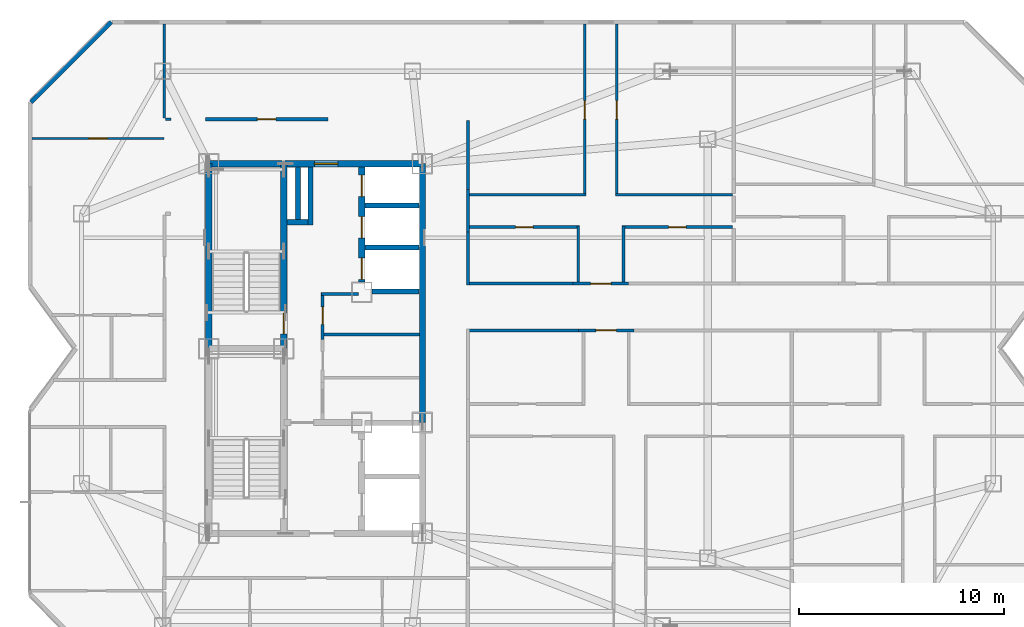
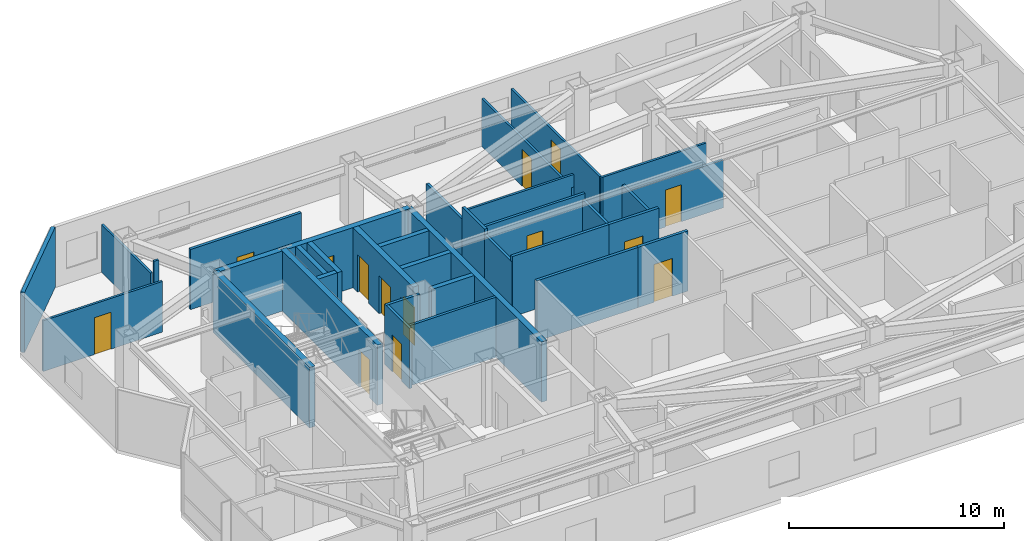
# One storey, part 10 of 14: 34 walls, 14 doors, 14 openings.
"""IFC4 building model written with IfcOpenShell, lengths in metres."""

from ifc_helpers import new_model, si_unit, direction, frame, frame_2d, origin, place, context, subcontext, project, spatial, rectangle, extrude, material, layer, layer_set, type_object, element, fill, save


model = new_model("IFC4")

# Units and contexts
model_context = context("Model", 3, precision=1e-05, world=origin(), true_north=direction((0.0, 1.0)))
body_context = subcontext(model_context, "Body", "Model", "MODEL_VIEW")
ifc_project = project(units=[si_unit("LENGTHUNIT", "METRE"), si_unit("AREAUNIT", "SQUARE_METRE"), si_unit("VOLUMEUNIT", "CUBIC_METRE"), si_unit("PLANEANGLEUNIT", "RADIAN"), si_unit("MASSUNIT", "GRAM", prefix="KILO")], contexts=[model_context])

# Site, building, storey
site_placement = place(None, origin())
site = spatial("IfcSite", under=ifc_project, at=site_placement, CompositionType="ELEMENT")
building_placement = place(site_placement, origin())
building = spatial("IfcBuilding", under=site, at=building_placement, Name="Khamvora Tower", CompositionType="ELEMENT")
storey_placement = place(building_placement, frame((0.0, 0.0, 242.75)))
storey = spatial("IfcBuildingStorey", under=building, at=storey_placement, Name="L62", CompositionType="ELEMENT", Elevation=242.75)

# Wall
ifc_material_1 = material(Name="Concrete C50/60", Category="concrete")
ifc_layer_1 = layer(ifc_material_1, 0.300048828125)
ifc_layer_set_1 = layer_set([ifc_layer_1], Name="Concrete C50/60")
wall_type_1 = type_object("IfcWallType", Name="WAL-CORE-300", PredefinedType="SHEAR", material=ifc_layer_set_1)
wall_1_placement = place(storey_placement, frame((29.0, 28.0, 0.0), z_axis=(0.0, 0.0, 1.0), x_axis=(0.0, 1.0, 0.0)))
element("IfcWall", 1, at=wall_1_placement, inside=storey, type_object=wall_type_1, Name="L62 central core west north wall", PredefinedType="SHEAR", context=body_context, shape_type="SweptSolid", body=[
    extrude(rectangle(XDim=9.0, YDim=0.300048828125, at=frame_2d((4.5, 0.0))), origin(), (0.0, 0.0, 1.0), 3.429931640625),
])

# Wall, opening, door
wall_2_placement = place(storey_placement, frame((29.0, 37.0, 0.0), z_axis=(0.0, 0.0, 1.0), x_axis=(1.0, 0.0, 0.0)))
wall_2 = element("IfcWall", 2, at=wall_2_placement, inside=storey, type_object=wall_type_1, Name="L62 central core north wall", PredefinedType="SHEAR", context=body_context, shape_type="SweptSolid", body=[
    extrude(rectangle(XDim=10.39990234375, YDim=0.300048828125, at=frame_2d((5.199951171875, 0.0))), origin(), (0.0, 0.0, 1.0), 3.429931640625),
])
opening_1_placement = place(wall_2_placement, frame((5.139892578125, 0.0, 0.0)))
opening_1 = element("IfcOpeningElement", 3, at=opening_1_placement, cuts=wall_2, Name="Opening D-SC1", PredefinedType="OPENING", context=body_context, shape_type="SweptSolid", body=[
    extrude(rectangle(XDim=1.14990234375, YDim=2.199951171875, at=frame_2d((0.574951171875, 1.10009765625))), frame((0.0, 0.159912109375, 0.0), z_axis=(0.0, -1.0, 0.0), x_axis=(1.0, 0.0, 0.0)), (0.0, 0.0, 1.0), 0.320068359375),
])
ifc_material_2 = material(Name="Powder-Coated Steel and Hardwood Leaf", Category="steel")
door_type_1 = type_object("IfcDoorType", Name="DOR-SCHL-1150", OperationType="NOTDEFINED", PredefinedType="DOOR", material=ifc_material_2)
door_1_placement = place(opening_1_placement, origin())
door_1 = element("IfcDoor", 4, at=door_1_placement, inside=storey, type_object=door_type_1, Name="L62 north core lobby to corridor fire door", OperationType="SINGLE_SWING_RIGHT", OverallHeight=2.199951171875, OverallWidth=1.14990234375, PredefinedType="DOOR", context=body_context, shape_type="SweptSolid", body=[
    extrude(rectangle(XDim=1.14990234375, YDim=2.199951171875, at=frame_2d((0.574951171875, 1.10009765625))), frame((0.0, 0.02490234375, 0.0), z_axis=(0.0, -1.0, 0.0), x_axis=(1.0, 0.0, 0.0)), (0.0, 0.0, 1.0), 0.050048828125),
])
fill(opening_1, door_1)

# Wall
wall_3_placement = place(storey_placement, frame((39.39990234375, 24.39990234375, 0.0), z_axis=(0.0, 0.0, 1.0), x_axis=(0.0, 1.0, 0.0)))
element("IfcWall", 5, at=wall_3_placement, inside=storey, type_object=wall_type_1, Name="L62 central core east north wall", PredefinedType="SHEAR", context=body_context, shape_type="SweptSolid", body=[
    extrude(rectangle(XDim=12.60009765625, YDim=0.300048828125, at=frame_2d((6.300048828125, 0.0))), origin(), (0.0, 0.0, 1.0), 3.429931640625),
])

# Wall, opening, door
wall_4_placement = place(storey_placement, frame((32.64990234375, 28.0, 0.0), z_axis=(0.0, 0.0, 1.0), x_axis=(0.0, 1.0, 0.0)))
wall_4 = element("IfcWall", 6, at=wall_4_placement, inside=storey, type_object=wall_type_1, Name="L62 central core stair north spine wall", PredefinedType="SHEAR", context=body_context, shape_type="SweptSolid", body=[
    extrude(rectangle(XDim=9.0, YDim=0.300048828125, at=frame_2d((4.5, 0.0))), origin(), (0.0, 0.0, 1.0), 3.429931640625),
])
opening_2_placement = place(wall_4_placement, frame((0.719970703125, 0.0, 0.0)))
opening_2 = element("IfcOpeningElement", 7, at=opening_2_placement, cuts=wall_4, Name="Opening D-ST1", PredefinedType="OPENING", context=body_context, shape_type="SweptSolid", body=[
    extrude(rectangle(XDim=1.0, YDim=2.14990234375, at=frame_2d((0.5, 1.074951171875))), frame((0.0, 0.159912109375, 0.0), z_axis=(0.0, -1.0, 0.0), x_axis=(1.0, 0.0, 0.0)), (0.0, 0.0, 1.0), 0.320068359375),
])
door_type_2 = type_object("IfcDoorType", Name="DOR-STAIR-1000", OperationType="NOTDEFINED", PredefinedType="DOOR", material=ifc_material_2)
door_2_placement = place(opening_2_placement, origin())
door_2 = element("IfcDoor", 8, at=door_2_placement, inside=storey, type_object=door_type_2, Name="L62 exit stair ST-02 fire door", OperationType="SINGLE_SWING_RIGHT", OverallHeight=2.14990234375, OverallWidth=1.0, PredefinedType="DOOR", context=body_context, shape_type="SweptSolid", body=[
    extrude(rectangle(XDim=1.0, YDim=2.14990234375, at=frame_2d((0.5, 1.074951171875))), frame((0.0, 0.02490234375, 0.0), z_axis=(0.0, -1.0, 0.0), x_axis=(1.0, 0.0, 0.0)), (0.0, 0.0, 1.0), 0.050048828125),
])
fill(opening_2, door_2)

# Wall, openings, doors
wall_5_placement = place(storey_placement, frame((36.449951171875, 31.25, 0.0), z_axis=(0.0, 0.0, 1.0), x_axis=(0.0, 1.0, 0.0)))
wall_5 = element("IfcWall", 9, at=wall_5_placement, inside=storey, type_object=wall_type_1, Name="L62 central core lift bank central wall", PredefinedType="SHEAR", context=body_context, shape_type="SweptSolid", body=[
    extrude(rectangle(XDim=5.595947265625, YDim=0.300048828125, at=frame_2d((2.7978515625, 0.0))), origin(), (0.0, 0.0, 1.0), 3.429931640625),
])
opening_3_placement = place(wall_5_placement, frame((0.1201171875, 0.0, 0.0)))
opening_3 = element("IfcOpeningElement", 10, at=opening_3_placement, cuts=wall_5, Name="Opening LD-PL", PredefinedType="OPENING", context=body_context, shape_type="SweptSolid", body=[
    extrude(rectangle(XDim=1.050048828125, YDim=2.14990234375, at=frame_2d((0.52490234375, 1.074951171875))), frame((0.0, 0.159912109375, 0.0), z_axis=(0.0, -1.0, 0.0), x_axis=(1.0, 0.0, 0.0)), (0.0, 0.0, 1.0), 0.320068359375),
])
opening_4_placement = place(wall_5_placement, frame((2.125, 0.0, 0.0)))
opening_4 = element("IfcOpeningElement", 11, at=opening_4_placement, cuts=wall_5, Name="Opening LD-PL", PredefinedType="OPENING", context=body_context, shape_type="SweptSolid", body=[
    extrude(rectangle(XDim=1.050048828125, YDim=2.14990234375, at=frame_2d((0.52490234375, 1.074951171875))), frame((0.0, 0.159912109375, 0.0), z_axis=(0.0, -1.0, 0.0), x_axis=(1.0, 0.0, 0.0)), (0.0, 0.0, 1.0), 0.320068359375),
])
opening_5_placement = place(wall_5_placement, frame((4.14501953125, 0.0, 0.0)))
opening_5 = element("IfcOpeningElement", 12, at=opening_5_placement, cuts=wall_5, Name="Opening LD-PL", PredefinedType="OPENING", context=body_context, shape_type="SweptSolid", body=[
    extrude(rectangle(XDim=1.050048828125, YDim=2.14990234375, at=frame_2d((0.52490234375, 1.074951171875))), frame((0.0, 0.159912109375, 0.0), z_axis=(0.0, -1.0, 0.0), x_axis=(1.0, 0.0, 0.0)), (0.0, 0.0, 1.0), 0.320068359375),
])
door_type_3 = type_object("IfcDoorType", Name="DOR-LIFT-1050", OperationType="SLIDING_TO_LEFT", PredefinedType="DOOR", material=ifc_material_2)
door_3_placement = place(opening_3_placement, origin())
door_3 = element("IfcDoor", 13, at=door_3_placement, inside=storey, type_object=door_type_3, Name="L62 lift landing sliding door PH-01", OperationType="SLIDING_TO_LEFT", OverallHeight=2.14990234375, OverallWidth=1.050048828125, PredefinedType="DOOR", context=body_context, shape_type="SweptSolid", body=[
    extrude(rectangle(XDim=1.050048828125, YDim=2.14990234375, at=frame_2d((0.52490234375, 1.074951171875))), frame((0.0, 0.02490234375, 0.0), z_axis=(0.0, -1.0, 0.0), x_axis=(1.0, 0.0, 0.0)), (0.0, 0.0, 1.0), 0.050048828125),
])
fill(opening_3, door_3)
door_4_placement = place(opening_4_placement, origin())
door_4 = element("IfcDoor", 14, at=door_4_placement, inside=storey, type_object=door_type_3, Name="L62 lift landing sliding door PH-02", OperationType="SLIDING_TO_LEFT", OverallHeight=2.14990234375, OverallWidth=1.050048828125, PredefinedType="DOOR", context=body_context, shape_type="SweptSolid", body=[
    extrude(rectangle(XDim=1.050048828125, YDim=2.14990234375, at=frame_2d((0.52490234375, 1.074951171875))), frame((0.0, 0.02490234375, 0.0), z_axis=(0.0, -1.0, 0.0), x_axis=(1.0, 0.0, 0.0)), (0.0, 0.0, 1.0), 0.050048828125),
])
fill(opening_4, door_4)
door_5_placement = place(opening_5_placement, origin())
door_5 = element("IfcDoor", 15, at=door_5_placement, inside=storey, type_object=door_type_3, Name="L62 lift landing sliding door PH-03", OperationType="SLIDING_TO_LEFT", OverallHeight=2.14990234375, OverallWidth=1.050048828125, PredefinedType="DOOR", context=body_context, shape_type="SweptSolid", body=[
    extrude(rectangle(XDim=1.050048828125, YDim=2.14990234375, at=frame_2d((0.52490234375, 1.074951171875))), frame((0.0, 0.02490234375, 0.0), z_axis=(0.0, -1.0, 0.0), x_axis=(1.0, 0.0, 0.0)), (0.0, 0.0, 1.0), 0.050048828125),
])
fill(opening_5, door_5)

# Wall
ifc_material_3 = material(Name="Fire-Rated Drywall and Steel Stud", Category="steel")
ifc_layer_2 = layer(ifc_material_3, 0.14990234375)
ifc_layer_set_2 = layer_set([ifc_layer_2], Name="Fire-Rated Drywall and Steel Stud")
wall_type_2 = type_object("IfcWallType", Name="WAL-CORR-150", PredefinedType="STANDARD", material=ifc_layer_set_2)
wall_6_placement = place(storey_placement, frame((36.300048828125, 30.6650390625, 0.0), z_axis=(0.0, 0.0, 1.0), x_axis=(-1.0, 0.0, 0.0)))
element("IfcWall", 16, at=wall_6_placement, inside=storey, type_object=wall_type_2, Name="L62 interior partition wall 001", PredefinedType="STANDARD", context=body_context, shape_type="SweptSolid", body=[
    extrude(rectangle(XDim=1.820068359375, YDim=0.14990234375, at=frame_2d((0.91015625, 0.0))), origin(), (0.0, 0.0, 1.0), 3.429931640625),
])

# Wall, opening, door
wall_7_placement = place(storey_placement, frame((34.544921875, 30.72998046875, 0.0), z_axis=(0.0, 0.0, 1.0), x_axis=(0.0, -1.0, 0.0)))
wall_7 = element("IfcWall", 17, at=wall_7_placement, inside=storey, type_object=wall_type_2, Name="L62 interior partition wall 002", PredefinedType="STANDARD", context=body_context, shape_type="SweptSolid", body=[
    extrude(rectangle(XDim=2.2939453125, YDim=0.14990234375, at=frame_2d((1.14697265625, 0.0))), origin(), (0.0, 0.0, 1.0), 3.429931640625),
])
opening_6_placement = place(wall_7_placement, frame((0.700927734375, 0.0, 0.0)))
opening_6 = element("IfcOpeningElement", 18, at=opening_6_placement, cuts=wall_7, Name="Opening D-WC1", PredefinedType="OPENING", context=body_context, shape_type="SweptSolid", body=[
    extrude(rectangle(XDim=0.85009765625, YDim=2.10009765625, at=frame_2d((0.425048828125, 1.050048828125))), frame((0.0, 0.0849609375, 0.0), z_axis=(0.0, -1.0, 0.0), x_axis=(1.0, 0.0, 0.0)), (0.0, 0.0, 1.0), 0.169921875),
])
door_type_4 = type_object("IfcDoorType", Name="DOR-WET-850", OperationType="NOTDEFINED", PredefinedType="DOOR", material=ifc_material_2)
door_6_placement = place(opening_6_placement, origin())
door_6 = element("IfcDoor", 19, at=door_6_placement, inside=storey, type_object=door_type_4, Name="L62 interior door PHL-CS1", OperationType="SINGLE_SWING_LEFT", OverallHeight=2.10009765625, OverallWidth=0.85009765625, PredefinedType="DOOR", context=body_context, shape_type="SweptSolid", body=[
    extrude(rectangle(XDim=0.85009765625, YDim=2.10009765625, at=frame_2d((0.425048828125, 1.050048828125))), frame((0.0, 0.02490234375, 0.0), z_axis=(0.0, -1.0, 0.0), x_axis=(1.0, 0.0, 0.0)), (0.0, 0.0, 1.0), 0.050048828125),
])
fill(opening_6, door_6)

wall_8_placement = place(storey_placement, frame((28.85009765625, 39.1650390625, 0.0), z_axis=(0.0, 0.0, 1.0), x_axis=(1.0, 0.0, 0.0)))
wall_8 = element("IfcWall", 20, at=wall_8_placement, inside=storey, type_object=wall_type_2, Name="L62 interior partition wall 007", PredefinedType="STANDARD", context=body_context, shape_type="SweptSolid", body=[
    extrude(rectangle(XDim=5.9638671875, YDim=0.14990234375, at=frame_2d((2.98193359375, 0.0))), origin(), (0.0, 0.0, 1.0), 3.429931640625),
])
opening_7_placement = place(wall_8_placement, frame((2.510986328125, 0.0, 0.0)))
opening_7 = element("IfcOpeningElement", 21, at=opening_7_placement, cuts=wall_8, Name="Opening D-RM1", PredefinedType="OPENING", context=body_context, shape_type="SweptSolid", body=[
    extrude(rectangle(XDim=0.89990234375, YDim=2.10009765625, at=frame_2d((0.449951171875, 1.050048828125))), frame((0.0, 0.0849609375, 0.0), z_axis=(0.0, -1.0, 0.0), x_axis=(1.0, 0.0, 0.0)), (0.0, 0.0, 1.0), 0.169921875),
])
door_type_5 = type_object("IfcDoorType", Name="DOR-ROOM-900", OperationType="NOTDEFINED", PredefinedType="DOOR", material=ifc_material_2)
door_7_placement = place(opening_7_placement, origin())
door_7 = element("IfcDoor", 22, at=door_7_placement, inside=storey, type_object=door_type_5, Name="L62 interior door COR-RPLY", OperationType="SINGLE_SWING_RIGHT", OverallHeight=2.10009765625, OverallWidth=0.89990234375, PredefinedType="DOOR", context=body_context, shape_type="SweptSolid", body=[
    extrude(rectangle(XDim=0.89990234375, YDim=2.10009765625, at=frame_2d((0.449951171875, 1.050048828125))), frame((0.0, 0.02490234375, 0.0), z_axis=(0.0, -1.0, 0.0), x_axis=(1.0, 0.0, 0.0)), (0.0, 0.0, 1.0), 0.050048828125),
])
fill(opening_7, door_7)

wall_9_placement = place(storey_placement, frame((49.698974609375, 28.885009765625, 0.0), z_axis=(0.0, 0.0, 1.0), x_axis=(-1.0, 0.0, 0.0)))
wall_9 = element("IfcWall", 23, at=wall_9_placement, inside=storey, type_object=wall_type_2, Name="L62 interior partition wall 020", PredefinedType="STANDARD", context=body_context, shape_type="SweptSolid", body=[
    extrude(rectangle(XDim=2.697998046875, YDim=0.14990234375, at=frame_2d((1.34912109375, 0.0))), origin(), (0.0, 0.0, 1.0), 3.429931640625),
])
opening_8_placement = place(wall_9_placement, frame((0.84912109375, 0.0, 0.0)))
opening_8 = element("IfcOpeningElement", 24, at=opening_8_placement, cuts=wall_9, Name="Opening D-U1", PredefinedType="OPENING", context=body_context, shape_type="SweptSolid", body=[
    extrude(rectangle(XDim=1.0, YDim=2.14990234375, at=frame_2d((0.5, 1.074951171875))), frame((0.0, 0.0849609375, 0.0), z_axis=(0.0, -1.0, 0.0), x_axis=(1.0, 0.0, 0.0)), (0.0, 0.0, 1.0), 0.169921875),
])
door_type_6 = type_object("IfcDoorType", Name="DOR-UNIT-1000", OperationType="NOTDEFINED", PredefinedType="DOOR", material=ifc_material_2)
door_8_placement = place(opening_8_placement, origin())
door_8 = element("IfcDoor", 25, at=door_8_placement, inside=storey, type_object=door_type_6, Name="L62 interior door COR-62EAH", OperationType="SINGLE_SWING_RIGHT", OverallHeight=2.14990234375, OverallWidth=1.0, PredefinedType="DOOR", context=body_context, shape_type="SweptSolid", body=[
    extrude(rectangle(XDim=1.0, YDim=2.14990234375, at=frame_2d((0.5, 1.074951171875))), frame((0.0, 0.02490234375, 0.0), z_axis=(0.0, -1.0, 0.0), x_axis=(1.0, 0.0, 0.0)), (0.0, 0.0, 1.0), 0.050048828125),
])
fill(opening_8, door_8)

# Walls
wall_10_placement = place(storey_placement, frame((47.0009765625, 28.885009765625, 0.0), z_axis=(0.0, 0.0, 1.0), x_axis=(-1.0, 0.0, 0.0)))
element("IfcWall", 26, at=wall_10_placement, inside=storey, type_object=wall_type_2, Name="L62 interior partition wall 022", PredefinedType="STANDARD", context=body_context, shape_type="SweptSolid", body=[
    extrude(rectangle(XDim=5.450927734375, YDim=0.14990234375, at=frame_2d((2.7255859375, 0.0))), origin(), (0.0, 0.0, 1.0), 3.429931640625),
])
wall_11_placement = place(storey_placement, frame((41.614990234375, 35.742919921875, 0.0), z_axis=(0.0, 0.0, 1.0), x_axis=(0.0, -1.0, 0.0)))
element("IfcWall", 27, at=wall_11_placement, inside=storey, type_object=wall_type_2, Name="L62 interior partition wall 030", PredefinedType="STANDARD", context=body_context, shape_type="SweptSolid", body=[
    extrude(rectangle(XDim=2.077880859375, YDim=0.14990234375, at=frame_2d((1.0390625, 0.0))), origin(), (0.0, 0.0, 1.0), 3.429931640625),
])

# Wall, opening, door
wall_12_placement = place(storey_placement, frame((46.740966796875, 31.1650390625, 0.0), z_axis=(0.0, 0.0, 1.0), x_axis=(1.0, 0.0, 0.0)))
wall_12 = element("IfcWall", 28, at=wall_12_placement, inside=storey, type_object=wall_type_2, Name="L62 interior partition wall 031", PredefinedType="STANDARD", context=body_context, shape_type="SweptSolid", body=[
    extrude(rectangle(XDim=2.697998046875, YDim=0.14990234375, at=frame_2d((1.34912109375, 0.0))), origin(), (0.0, 0.0, 1.0), 3.429931640625),
])
opening_9_placement = place(wall_12_placement, frame((0.84912109375, 0.0, 0.0)))
opening_9 = element("IfcOpeningElement", 29, at=opening_9_placement, cuts=wall_12, Name="Opening D-U1", PredefinedType="OPENING", context=body_context, shape_type="SweptSolid", body=[
    extrude(rectangle(XDim=1.0, YDim=2.14990234375, at=frame_2d((0.5, 1.074951171875))), frame((0.0, 0.0849609375, 0.0), z_axis=(0.0, -1.0, 0.0), x_axis=(1.0, 0.0, 0.0)), (0.0, 0.0, 1.0), 0.169921875),
])
door_9_placement = place(opening_9_placement, origin())
door_9 = element("IfcDoor", 30, at=door_9_placement, inside=storey, type_object=door_type_6, Name="L62 interior door COR-62EC1H", OperationType="SINGLE_SWING_RIGHT", OverallHeight=2.14990234375, OverallWidth=1.0, PredefinedType="DOOR", context=body_context, shape_type="SweptSolid", body=[
    extrude(rectangle(XDim=1.0, YDim=2.14990234375, at=frame_2d((0.5, 1.074951171875))), frame((0.0, 0.02490234375, 0.0), z_axis=(0.0, -1.0, 0.0), x_axis=(1.0, 0.0, 0.0)), (0.0, 0.0, 1.0), 0.050048828125),
])
fill(opening_9, door_9)

# Walls
wall_13_placement = place(storey_placement, frame((41.614990234375, 33.6650390625, 0.0), z_axis=(0.0, 0.0, 1.0), x_axis=(0.0, -1.0, 0.0)))
element("IfcWall", 31, at=wall_13_placement, inside=storey, type_object=wall_type_2, Name="L62 interior partition wall 032", PredefinedType="STANDARD", context=body_context, shape_type="SweptSolid", body=[
    extrude(rectangle(XDim=2.56494140625, YDim=0.14990234375, at=frame_2d((1.282470703125, 0.0))), origin(), (0.0, 0.0, 1.0), 3.10693359375),
])
wall_14_placement = place(storey_placement, frame((41.550048828125, 31.1650390625, 0.0), z_axis=(0.0, 0.0, 1.0), x_axis=(1.0, 0.0, 0.0)))
element("IfcWall", 32, at=wall_14_placement, inside=storey, type_object=wall_type_2, Name="L62 interior partition wall 033", PredefinedType="STANDARD", context=body_context, shape_type="SweptSolid", body=[
    extrude(rectangle(XDim=5.19091796875, YDim=0.14990234375, at=frame_2d((2.595458984375, 0.0))), origin(), (0.0, 0.0, 1.0), 3.429931640625),
])
wall_15_placement = place(storey_placement, frame((41.614990234375, 39.10009765625, 0.0), z_axis=(0.0, 0.0, 1.0), x_axis=(0.0, -1.0, 0.0)))
element("IfcWall", 33, at=wall_15_placement, inside=storey, type_object=wall_type_2, Name="L62 interior partition wall 035", PredefinedType="STANDARD", context=body_context, shape_type="SweptSolid", body=[
    extrude(rectangle(XDim=3.357177734375, YDim=0.14990234375, at=frame_2d((1.6787109375, 0.0))), origin(), (0.0, 0.0, 1.0), 2.72509765625),
])
ifc_material_4 = material(Name="Precast concrete C40/50", Category="concrete")
ifc_layer_3 = layer(ifc_material_4, 0.199951171875)
ifc_layer_set_3 = layer_set([ifc_layer_3], Name="Precast concrete C40/50")
wall_type_3 = type_object("IfcWallType", Name="WAL-EXT-200", PredefinedType="STANDARD", material=ifc_layer_set_3)
wall_16_placement = place(storey_placement, frame((20.343994140625, 40.0029296875, 0.0), z_axis=(0.0, 0.0, 1.0), x_axis=(0.707106781187, 0.707106781187, 0.0)))
element("IfcWall", 34, at=wall_16_placement, inside=storey, type_object=wall_type_3, Name="L62 exterior facade wall 06.1", PredefinedType="STANDARD", context=body_context, shape_type="SweptSolid", body=[
    extrude(rectangle(XDim=5.51123046875, YDim=0.199951171875, at=frame_2d((2.755615234375, 0.0))), origin(), (0.0, 0.0, 1.0), 3.429931640625),
])
ifc_material_5 = material(Name="Gypsum Plasterboard Partition", Category="gypsum")
ifc_layer_4 = layer(ifc_material_5, 0.1201171875)
ifc_layer_set_4 = layer_set([ifc_layer_4], Name="Gypsum Plasterboard Partition")
wall_type_4 = type_object("IfcWallType", Name="WAL-PART-120", PredefinedType="PARTITIONING", material=ifc_layer_set_4)
wall_17_placement = place(storey_placement, frame((27.14990234375, 39.1650390625, 0.0), z_axis=(0.0, 0.0, 1.0), x_axis=(-1.0, 0.0, 0.0)))
element("IfcWall", 35, at=wall_17_placement, inside=storey, type_object=wall_type_4, Name="L62 interior partition wall 039", PredefinedType="PARTITIONING", context=body_context, shape_type="SweptSolid", body=[
    extrude(rectangle(XDim=0.25, YDim=0.1201171875, at=frame_2d((0.125, 0.0))), origin(), (0.0, 0.0, 1.0), 3.429931640625),
])
wall_18_placement = place(storey_placement, frame((26.8349609375, 39.22998046875, 0.0), z_axis=(0.0, 0.0, 1.0), x_axis=(0.0, 1.0, 0.0)))
element("IfcWall", 36, at=wall_18_placement, inside=storey, type_object=wall_type_4, Name="L62 interior partition wall 040", PredefinedType="PARTITIONING", context=body_context, shape_type="SweptSolid", body=[
    extrude(rectangle(XDim=4.578125, YDim=0.1201171875, at=frame_2d((2.2890625, 0.0))), origin(), (0.0, 0.0, 1.0), 2.72509765625),
])

# Wall, opening, door
wall_19_placement = place(storey_placement, frame((20.39208984375, 38.22998046875, 0.0), z_axis=(0.0, 0.0, 1.0), x_axis=(1.0, 0.0, 0.0)))
wall_19 = element("IfcWall", 37, at=wall_19_placement, inside=storey, type_object=wall_type_4, Name="L62 interior partition wall 050", PredefinedType="PARTITIONING", context=body_context, shape_type="SweptSolid", body=[
    extrude(rectangle(XDim=6.41796875, YDim=0.1201171875, at=frame_2d((3.208984375, 0.0))), origin(), (0.0, 0.0, 1.0), 2.886962890625),
])
opening_10_placement = place(wall_19_placement, frame((2.759033203125, 0.0, 0.0)))
opening_10 = element("IfcOpeningElement", 38, at=opening_10_placement, cuts=wall_19, Name="Opening D-RM1", PredefinedType="OPENING", context=body_context, shape_type="SweptSolid", body=[
    extrude(rectangle(XDim=0.89990234375, YDim=2.10009765625, at=frame_2d((0.449951171875, 1.050048828125))), frame((0.0, 0.070068359375, 0.0), z_axis=(0.0, -1.0, 0.0), x_axis=(1.0, 0.0, 0.0)), (0.0, 0.0, 1.0), 0.14013671875),
])
door_10_placement = place(opening_10_placement, origin())
door_10 = element("IfcDoor", 39, at=door_10_placement, inside=storey, type_object=door_type_5, Name="L62 interior door 62WBH-62WBR1", OperationType="SINGLE_SWING_RIGHT", OverallHeight=2.10009765625, OverallWidth=0.89990234375, PredefinedType="DOOR", context=body_context, shape_type="SweptSolid", body=[
    extrude(rectangle(XDim=0.89990234375, YDim=2.10009765625, at=frame_2d((0.449951171875, 1.050048828125))), frame((0.0, 0.02490234375, 0.0), z_axis=(0.0, -1.0, 0.0), x_axis=(1.0, 0.0, 0.0)), (0.0, 0.0, 1.0), 0.050048828125),
])
fill(opening_10, door_10)

wall_20_placement = place(storey_placement, frame((47.304931640625, 35.428955078125, 0.0), z_axis=(0.0, 0.0, 1.0), x_axis=(0.0, 1.0, 0.0)))
wall_20 = element("IfcWall", 40, at=wall_20_placement, inside=storey, type_object=wall_type_4, Name="L62 interior partition wall 090", PredefinedType="PARTITIONING", context=body_context, shape_type="SweptSolid", body=[
    extrude(rectangle(XDim=8.379150390625, YDim=0.1201171875, at=frame_2d((4.189453125, 0.0))), origin(), (0.0, 0.0, 1.0), 2.72509765625),
])
opening_11_placement = place(wall_20_placement, frame((3.739013671875, 0.0, 0.0)))
opening_11 = element("IfcOpeningElement", 41, at=opening_11_placement, cuts=wall_20, Name="Opening D-RM1", PredefinedType="OPENING", context=body_context, shape_type="SweptSolid", body=[
    extrude(rectangle(XDim=0.89990234375, YDim=2.10009765625, at=frame_2d((0.449951171875, 1.050048828125))), frame((0.0, 0.070068359375, 0.0), z_axis=(0.0, -1.0, 0.0), x_axis=(1.0, 0.0, 0.0)), (0.0, 0.0, 1.0), 0.14013671875),
])
door_11_placement = place(opening_11_placement, origin())
door_11 = element("IfcDoor", 42, at=door_11_placement, inside=storey, type_object=door_type_5, Name="L62 interior door 62EC1H-62EC1R1", OperationType="SINGLE_SWING_LEFT", OverallHeight=2.10009765625, OverallWidth=0.89990234375, PredefinedType="DOOR", context=body_context, shape_type="SweptSolid", body=[
    extrude(rectangle(XDim=0.89990234375, YDim=2.10009765625, at=frame_2d((0.449951171875, 1.050048828125))), frame((0.0, 0.02490234375, 0.0), z_axis=(0.0, -1.0, 0.0), x_axis=(1.0, 0.0, 0.0)), (0.0, 0.0, 1.0), 0.050048828125),
])
fill(opening_11, door_11)

# Wall
wall_21_placement = place(storey_placement, frame((41.681884765625, 35.493896484375, 0.0), z_axis=(0.0, 0.0, 1.0), x_axis=(1.0, 0.0, 0.0)))
element("IfcWall", 43, at=wall_21_placement, inside=storey, type_object=wall_type_4, Name="L62 interior partition wall 091", PredefinedType="PARTITIONING", context=body_context, shape_type="SweptSolid", body=[
    extrude(rectangle(XDim=5.688232421875, YDim=0.1201171875, at=frame_2d((2.84423828125, 0.0))), origin(), (0.0, 0.0, 1.0), 3.429931640625),
])

# Wall, opening, door
wall_22_placement = place(storey_placement, frame((48.875, 43.80810546875, 0.0), z_axis=(0.0, 0.0, 1.0), x_axis=(0.0, -1.0, 0.0)))
wall_22 = element("IfcWall", 44, at=wall_22_placement, inside=storey, type_object=wall_type_4, Name="L62 interior partition wall 092", PredefinedType="PARTITIONING", context=body_context, shape_type="SweptSolid", body=[
    extrude(rectangle(XDim=8.379150390625, YDim=0.1201171875, at=frame_2d((4.189453125, 0.0))), origin(), (0.0, 0.0, 1.0), 2.72509765625),
])
opening_12_placement = place(wall_22_placement, frame((3.739013671875, 0.0, 0.0)))
opening_12 = element("IfcOpeningElement", 45, at=opening_12_placement, cuts=wall_22, Name="Opening D-RM1", PredefinedType="OPENING", context=body_context, shape_type="SweptSolid", body=[
    extrude(rectangle(XDim=0.89990234375, YDim=2.10009765625, at=frame_2d((0.449951171875, 1.050048828125))), frame((0.0, 0.070068359375, 0.0), z_axis=(0.0, -1.0, 0.0), x_axis=(1.0, 0.0, 0.0)), (0.0, 0.0, 1.0), 0.14013671875),
])
door_12_placement = place(opening_12_placement, origin())
door_12 = element("IfcDoor", 46, at=door_12_placement, inside=storey, type_object=door_type_5, Name="L62 interior door 62EC1H-62EC1R2", OperationType="SINGLE_SWING_RIGHT", OverallHeight=2.10009765625, OverallWidth=0.89990234375, PredefinedType="DOOR", context=body_context, shape_type="SweptSolid", body=[
    extrude(rectangle(XDim=0.89990234375, YDim=2.10009765625, at=frame_2d((0.449951171875, 1.050048828125))), frame((0.0, 0.02490234375, 0.0), z_axis=(0.0, -1.0, 0.0), x_axis=(1.0, 0.0, 0.0)), (0.0, 0.0, 1.0), 0.050048828125),
])
fill(opening_12, door_12)

# Walls
wall_23_placement = place(storey_placement, frame((48.81005859375, 35.493896484375, 0.0), z_axis=(0.0, 0.0, 1.0), x_axis=(1.0, 0.0, 0.0)))
element("IfcWall", 47, at=wall_23_placement, inside=storey, type_object=wall_type_4, Name="L62 interior partition wall 093", PredefinedType="PARTITIONING", context=body_context, shape_type="SweptSolid", body=[
    extrude(rectangle(XDim=5.68994140625, YDim=0.1201171875, at=frame_2d((2.844970703125, 0.0))), origin(), (0.0, 0.0, 1.0), 2.72509765625),
])
ifc_material_6 = material(Name="Concrete C40/50", Category="concrete")
ifc_layer_5 = layer(ifc_material_6, 0.25)
ifc_layer_set_5 = layer_set([ifc_layer_5], Name="Concrete C40/50")
wall_type_5 = type_object("IfcWallType", Name="WAL-PODS-250", PredefinedType="SHEAR", material=ifc_layer_set_5)
wall_24_placement = place(storey_placement, frame((36.9541015625, 30.77490234375, 0.0), z_axis=(0.0, 0.0, 1.0), x_axis=(1.0, 0.0, 0.0)))
element("IfcWall", 48, at=wall_24_placement, inside=storey, type_object=wall_type_5, Name="L62 high-rise lift shaft south enclosure wall PH-01", PredefinedType="SHEAR", context=body_context, shape_type="SweptSolid", body=[
    extrude(rectangle(XDim=2.2919921875, YDim=0.25, at=frame_2d((1.14599609375, 0.0))), origin(), (0.0, 0.0, 1.0), 3.429931640625),
])
for number, where, z_axis, x_axis, name in (
    (49, (36.60400390625, 32.925048828125, 0.0), (0.0, 0.0, 1.0), (1.0, 0.0, 0.0), "L62 lift shaft divider wall PH-01"),
    (50, (36.60400390625, 34.97509765625, 0.0), (0.0, 0.0, 1.0), (1.0, 0.0, 0.0), "L62 lift shaft divider wall PH-02"),
):
    element("IfcWall", number, at=place(storey_placement, frame(where, z_axis=z_axis, x_axis=x_axis)), inside=storey, type_object=wall_type_5, Name=name, PredefinedType="SHEAR", context=body_context, shape_type="SweptSolid", body=[
        extrude(rectangle(XDim=2.64208984375, YDim=0.25, at=frame_2d((1.321044921875, 0.0))), origin(), (0.0, 0.0, 1.0), 3.429931640625),
    ])
wall_25_placement = place(storey_placement, frame((33.955078125, 34.02490234375, 0.0), z_axis=(0.0, 0.0, 1.0), x_axis=(0.0, 1.0, 0.0)))
element("IfcWall", 51, at=wall_25_placement, inside=storey, type_object=wall_type_5, Name="L62 vertical MEP riser shaft east enclosure wall", PredefinedType="SHEAR", context=body_context, shape_type="SweptSolid", body=[
    extrude(rectangle(XDim=2.821044921875, YDim=0.25, at=frame_2d((1.41064453125, 0.0))), origin(), (0.0, 0.0, 1.0), 3.429931640625),
])
wall_26_placement = place(storey_placement, frame((32.803955078125, 34.14990234375, 0.0), z_axis=(0.0, 0.0, 1.0), x_axis=(1.0, 0.0, 0.0)))
element("IfcWall", 52, at=wall_26_placement, inside=storey, type_object=wall_type_5, Name="L62 vertical MEP riser shaft south enclosure wall", PredefinedType="SHEAR", context=body_context, shape_type="SweptSolid", body=[
    extrude(rectangle(XDim=1.02197265625, YDim=0.25, at=frame_2d((0.510986328125, 0.0))), origin(), (0.0, 0.0, 1.0), 3.429931640625),
])
wall_27_placement = place(storey_placement, frame((33.340087890625, 34.279052734375, 0.0), z_axis=(0.0, 0.0, 1.0), x_axis=(0.0, 1.0, 0.0)))
element("IfcWall", 53, at=wall_27_placement, inside=storey, type_object=wall_type_5, Name="L62 vertical MEP riser shaft divider enclosure wall", PredefinedType="SHEAR", context=body_context, shape_type="SweptSolid", body=[
    extrude(rectangle(XDim=2.56689453125, YDim=0.25, at=frame_2d((1.283447265625, 0.0))), origin(), (0.0, 0.0, 1.0), 3.429931640625),
])
ifc_material_7 = material(Name="Moisture-Resistant Plasterboard Partition", Category="gypsum")
ifc_layer_6 = layer(ifc_material_7, 0.135009765625)
ifc_layer_set_6 = layer_set([ifc_layer_6], Name="Moisture-Resistant Plasterboard Partition")
wall_type_6 = type_object("IfcWallType", Name="WAL-WET-135", PredefinedType="PARTITIONING", material=ifc_layer_set_6)
wall_28_placement = place(storey_placement, frame((39.256103515625, 28.68505859375, 0.0), z_axis=(0.0, 0.0, 1.0), x_axis=(-1.0, 0.0, 0.0)))
element("IfcWall", 54, at=wall_28_placement, inside=storey, type_object=wall_type_6, Name="L62 interior partition wall 005", PredefinedType="PARTITIONING", context=body_context, shape_type="SweptSolid", body=[
    extrude(rectangle(XDim=4.64404296875, YDim=0.135009765625, at=frame_2d((2.322021484375, 0.0))), origin(), (0.0, 0.0, 1.0), 3.429931640625),
])
wall_29_placement = place(storey_placement, frame((46.989990234375, 31.22998046875, 0.0), z_axis=(0.0, 0.0, 1.0), x_axis=(0.0, 1.0, 0.0)))
element("IfcWall", 55, at=wall_29_placement, inside=storey, type_object=wall_type_6, Name="L62 interior partition wall 086", PredefinedType="PARTITIONING", context=body_context, shape_type="SweptSolid", body=[
    extrude(rectangle(XDim=2.7490234375, YDim=0.135009765625, at=frame_2d((1.37451171875, 0.0))), origin(), (0.0, 0.0, 1.0), 3.10693359375),
])

# Wall, opening, door
wall_30_placement = place(storey_placement, frame((47.054931640625, 33.9140625, 0.0), z_axis=(0.0, 0.0, 1.0), x_axis=(-1.0, 0.0, 0.0)))
wall_30 = element("IfcWall", 56, at=wall_30_placement, inside=storey, type_object=wall_type_6, Name="L62 interior partition wall 087", PredefinedType="PARTITIONING", context=body_context, shape_type="SweptSolid", body=[
    extrude(rectangle(XDim=5.373046875, YDim=0.135009765625, at=frame_2d((2.6865234375, 0.0))), origin(), (0.0, 0.0, 1.0), 3.429931640625),
])
opening_13_placement = place(wall_30_placement, frame((2.261962890625, 0.0, 0.0)))
opening_13 = element("IfcOpeningElement", 57, at=opening_13_placement, cuts=wall_30, Name="Opening D-WC1", PredefinedType="OPENING", context=body_context, shape_type="SweptSolid", body=[
    extrude(rectangle(XDim=0.85009765625, YDim=2.10009765625, at=frame_2d((0.425048828125, 1.050048828125))), frame((0.0, 0.077392578125, 0.0), z_axis=(0.0, -1.0, 0.0), x_axis=(1.0, 0.0, 0.0)), (0.0, 0.0, 1.0), 0.155029296875),
])
door_13_placement = place(opening_13_placement, origin())
door_13 = element("IfcDoor", 58, at=door_13_placement, inside=storey, type_object=door_type_4, Name="L62 interior door 62EC1H-62EC1B", OperationType="SINGLE_SWING_LEFT", OverallHeight=2.10009765625, OverallWidth=0.85009765625, PredefinedType="DOOR", context=body_context, shape_type="SweptSolid", body=[
    extrude(rectangle(XDim=0.85009765625, YDim=2.10009765625, at=frame_2d((0.425048828125, 1.050048828125))), frame((0.0, 0.02490234375, 0.0), z_axis=(0.0, -1.0, 0.0), x_axis=(1.0, 0.0, 0.0)), (0.0, 0.0, 1.0), 0.050048828125),
])
fill(opening_13, door_13)

wall_31_placement = place(storey_placement, frame((54.5, 33.9140625, 0.0), z_axis=(0.0, 0.0, 1.0), x_axis=(-1.0, 0.0, 0.0)))
wall_31 = element("IfcWall", 59, at=wall_31_placement, inside=storey, type_object=wall_type_6, Name="L62 interior partition wall 088", PredefinedType="PARTITIONING", context=body_context, shape_type="SweptSolid", body=[
    extrude(rectangle(XDim=5.375, YDim=0.135009765625, at=frame_2d((2.6875, 0.0))), origin(), (0.0, 0.0, 1.0), 2.72509765625),
])
opening_14_placement = place(wall_31_placement, frame((2.262939453125, 0.0, 0.0)))
opening_14 = element("IfcOpeningElement", 60, at=opening_14_placement, cuts=wall_31, Name="Opening D-RM2", PredefinedType="OPENING", context=body_context, shape_type="SweptSolid", body=[
    extrude(rectangle(XDim=0.85009765625, YDim=2.10009765625, at=frame_2d((0.425048828125, 1.050048828125))), frame((0.0, 0.077392578125, 0.0), z_axis=(0.0, -1.0, 0.0), x_axis=(1.0, 0.0, 0.0)), (0.0, 0.0, 1.0), 0.155029296875),
])
door_type_7 = type_object("IfcDoorType", Name="DOR-ROOM-850", OperationType="NOTDEFINED", PredefinedType="DOOR", material=ifc_material_2)
door_14_placement = place(opening_14_placement, origin())
door_14 = element("IfcDoor", 61, at=door_14_placement, inside=storey, type_object=door_type_7, Name="L62 interior door 62EC1H-62EC1K", OperationType="SINGLE_SWING_RIGHT", OverallHeight=2.10009765625, OverallWidth=0.85009765625, PredefinedType="DOOR", context=body_context, shape_type="SweptSolid", body=[
    extrude(rectangle(XDim=0.85009765625, YDim=2.10009765625, at=frame_2d((0.425048828125, 1.050048828125))), frame((0.0, 0.02490234375, 0.0), z_axis=(0.0, -1.0, 0.0), x_axis=(1.0, 0.0, 0.0)), (0.0, 0.0, 1.0), 0.050048828125),
])
fill(opening_14, door_14)

# Wall
wall_32_placement = place(storey_placement, frame((49.18994140625, 33.97900390625, 0.0), z_axis=(0.0, 0.0, 1.0), x_axis=(0.0, -1.0, 0.0)))
element("IfcWall", 62, at=wall_32_placement, inside=storey, type_object=wall_type_6, Name="L62 interior partition wall 089", PredefinedType="PARTITIONING", context=body_context, shape_type="SweptSolid", body=[
    extrude(rectangle(XDim=2.7490234375, YDim=0.135009765625, at=frame_2d((1.37451171875, 0.0))), origin(), (0.0, 0.0, 1.0), 3.10693359375),
])

save(model, "model.ifc")
